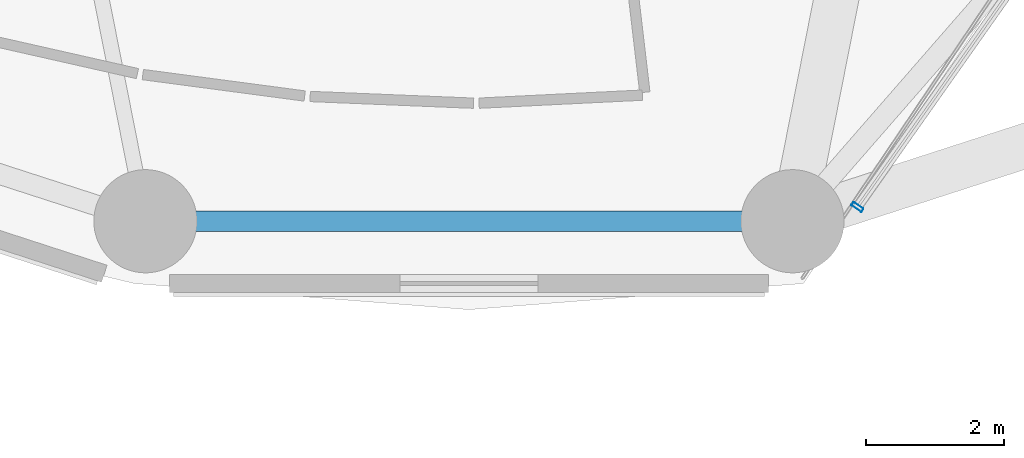
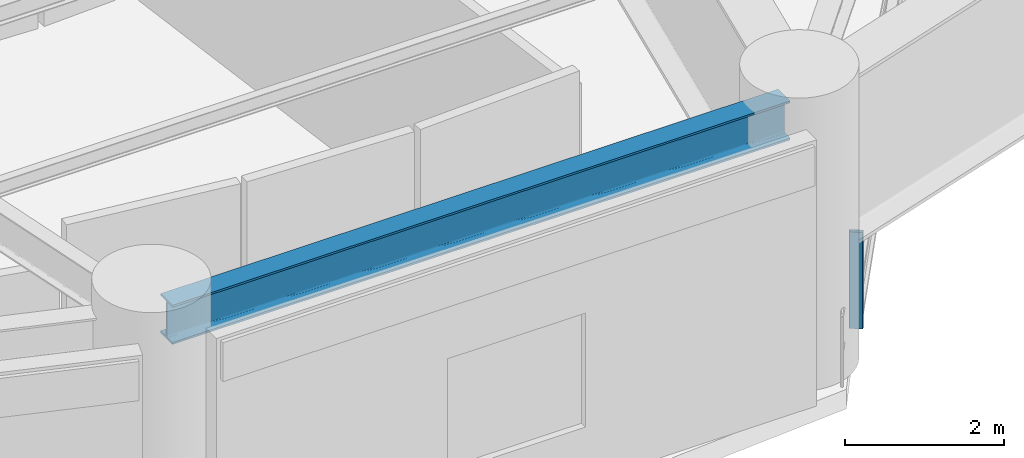
# One storey, part 18 of 53: 1 beam, 1 member, 1 element without a shape of its own.
"""IFC4 building model written with IfcOpenShell, lengths in metres."""

from ifc_helpers import new_model, si_unit, direction, frame, origin, origin_2d, place, context, subcontext, project, spatial, hollow_rectangle, i_section, extrude, material, layer, layer_set, material_profile, profile_set, type_object, element, aggregate, save


model = new_model("IFC4")

# Units and contexts
model_context = context("Model", 3, precision=1e-05, world=origin(), true_north=direction((0.0, 1.0)))
body_context = subcontext(model_context, "Body", "Model", "MODEL_VIEW")
ifc_project = project(units=[si_unit("LENGTHUNIT", "METRE"), si_unit("AREAUNIT", "SQUARE_METRE"), si_unit("VOLUMEUNIT", "CUBIC_METRE"), si_unit("PLANEANGLEUNIT", "RADIAN"), si_unit("MASSUNIT", "GRAM", prefix="KILO")], contexts=[model_context])

# Site, building, storey
site_placement = place(None, origin())
site = spatial("IfcSite", under=ifc_project, at=site_placement, CompositionType="ELEMENT")
building_placement = place(site_placement, origin())
building = spatial("IfcBuilding", under=site, at=building_placement, Name="Kelanora Arch Commons", CompositionType="ELEMENT")
storey_placement = place(building_placement, frame((0.0, 0.0, 9.0)))
storey = spatial("IfcBuildingStorey", under=building, at=storey_placement, Name="L02", CompositionType="ELEMENT", Elevation=9.0)

# Beam
ifc_material_1 = material(Name="Steel S355", Category="steel")
ifc_material_profile_1 = material_profile(ifc_material_1, i_section(OverallWidth=0.300048828125, OverallDepth=0.60009765625, WebThickness=0.015380859375, FlangeThickness=0.030029296875, FilletRadius=0.027099609375, at=origin_2d()), Name="HEB600")
ifc_profile_set_1 = profile_set([ifc_material_profile_1], Name="Steel S355")
beam_type = type_object("IfcBeamType", Name="BM-SPN-Z1", PredefinedType="SPANDREL", material=ifc_profile_set_1)
beam_placement = place(storey_placement, frame((69.517578125, 34.285888671875, 3.800048828125), z_axis=(1.0, 0.0, 0.0), x_axis=(0.0, 1.0, 0.0)))
element("IfcBeam", 1, at=beam_placement, inside=storey, type_object=beam_type, Name="Perimeter Spandrel Beam BS-26 L02", PredefinedType="SPANDREL", context=body_context, shape_type="SweptSolid", body=[
    extrude(i_section(OverallWidth=0.300048828125, OverallDepth=0.60009765625, WebThickness=0.015380859375, FlangeThickness=0.030029296875, FilletRadius=0.027099609375, at=origin_2d()), origin(), (0.0, 0.0, 1.0), 8.96484375),
])

# Curtain wall, member
ifc_material_2 = material(Name="Terracotta ceramic-fritted low-E glass and aluminium", Category="masonry")
ifc_layer = layer(ifc_material_2, 0.2099609375)
ifc_layer_set = layer_set([ifc_layer], Name="Terracotta ceramic-fritted low-E glass and aluminium")
curtain_wall_type = type_object("IfcCurtainWallType", Name="CW-SYS-04", PredefinedType="NOTDEFINED", material=ifc_layer_set)
curtain_wall_placement = place(storey_placement, origin())
curtain_wall = element("IfcCurtainWall", 2, at=curtain_wall_placement, inside=storey, type_object=curtain_wall_type, Name="Unitised Curtain Wall L02-B14", PredefinedType="NOTDEFINED")
ifc_material_3 = material(Name="Powder-coated aluminium terracotta", Category="masonry")
ifc_material_profile_2 = material_profile(ifc_material_3, hollow_rectangle(XDim=0.179931640625, YDim=0.06005859375, WallThickness=0.0048828125, InnerFilletRadius=0.0048828125, OuterFilletRadius=0.010009765625, at=origin_2d()), Name="CWM180x60")
ifc_profile_set_2 = profile_set([ifc_material_profile_2], Name="Powder-coated aluminium terracotta")
member_type = type_object("IfcMemberType", Name="CWM-HVY", PredefinedType="MULLION", material=ifc_profile_set_2)
member_placement = place(storey_placement, frame((79.64697265625, 34.49267578125, 0.0), z_axis=(0.0, 0.0, 1.0), x_axis=(-0.817206133555, 0.576345499922, 0.0)))
member = element("IfcMember", 3, at=member_placement, type_object=member_type, Name="CW-04 mullion 1", PredefinedType="MULLION", context=body_context, shape_type="SweptSolid", body=[
    extrude(hollow_rectangle(XDim=0.179931640625, YDim=0.06005859375, WallThickness=0.0048828125, InnerFilletRadius=0.0048828125, OuterFilletRadius=0.010009765625, at=origin_2d()), origin(), (0.0, 0.0, 1.0), 1.47998046875),
])
aggregate(curtain_wall, [member])

save(model, "model.ifc")
